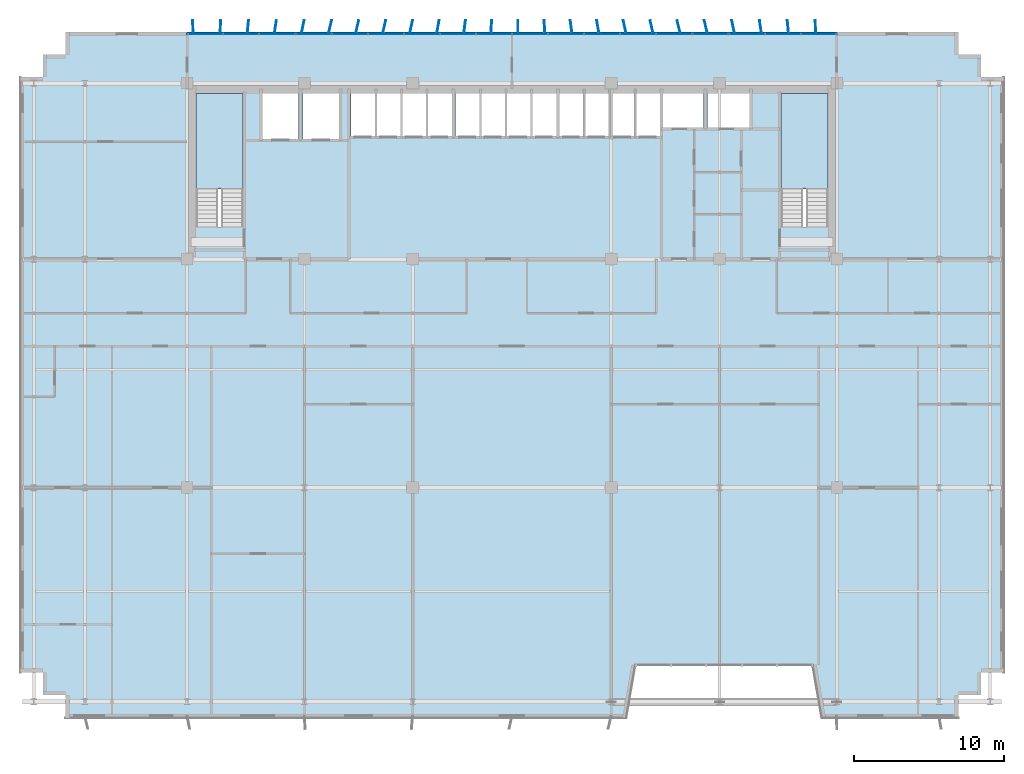
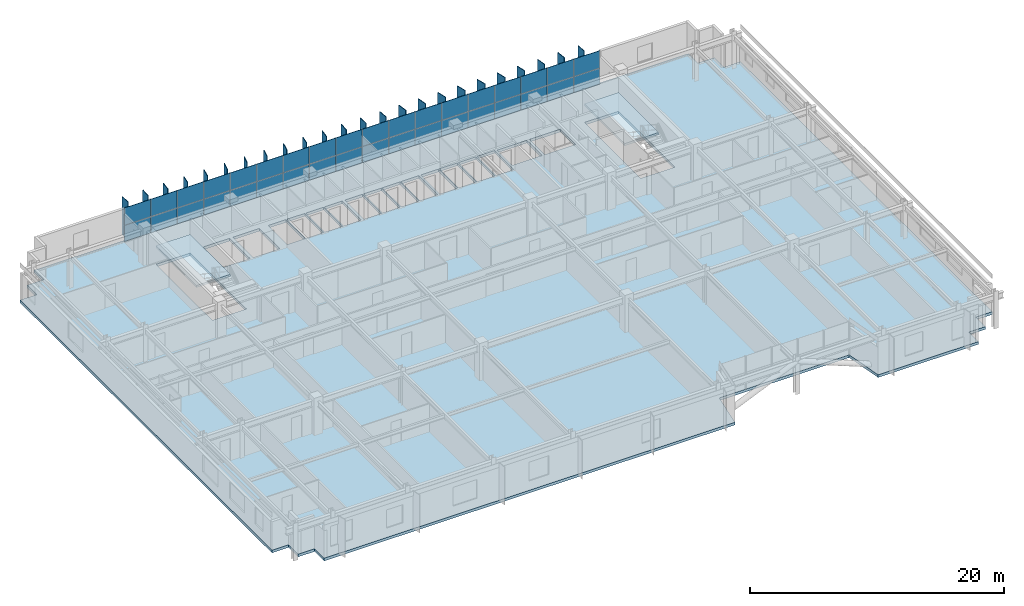
# One storey, part 17 of 26: 60 plates, 3 slabs, 3 elements without a shape of their own.
"""IFC4 building model written with IfcOpenShell, lengths in metres."""

from ifc_helpers import new_model, si_unit, direction, frame, origin, origin_2d, place, context, subcontext, project, spatial, polyline, rectangle, outline, extrude, source, transform, mapped, material, layer, layer_set, type_object, element, aggregate, save


model = new_model("IFC4")

# Units and contexts
model_context = context("Model", 3, precision=1e-05, world=origin(), true_north=direction((0.0, 1.0)))
body_context = subcontext(model_context, "Body", "Model", "MODEL_VIEW")
ifc_project = project(units=[si_unit("LENGTHUNIT", "METRE"), si_unit("AREAUNIT", "SQUARE_METRE"), si_unit("VOLUMEUNIT", "CUBIC_METRE"), si_unit("PLANEANGLEUNIT", "RADIAN"), si_unit("MASSUNIT", "GRAM", prefix="KILO")], contexts=[model_context])

# Site, building, storey
site_placement = place(None, origin())
site = spatial("IfcSite", under=ifc_project, at=site_placement, CompositionType="ELEMENT")
building_placement = place(site_placement, origin())
building = spatial("IfcBuilding", under=site, at=building_placement, Name="Trelvane Seafront Commons", CompositionType="ELEMENT")
storey_placement = place(building_placement, frame((0.0, 0.0, 128.5)))
storey = spatial("IfcBuildingStorey", under=building, at=storey_placement, Name="L33", CompositionType="ELEMENT", Elevation=128.5)

# Stair, slab
ifc_material_1 = material(Name="Concrete C40/50", Category="concrete")
stair_type_1 = type_object("IfcStairType", Name="ARCH-STR-ST-1-R20-180", PredefinedType="HALF_TURN_STAIR", material=ifc_material_1)
stair_1_placement = place(storey_placement, origin())
stair_1 = element("IfcStair", 1, at=stair_1_placement, inside=storey, type_object=stair_type_1, Name="L33 West Protected Firefighting Exit Stair ST-1", PredefinedType="HALF_TURN_STAIR")
ifc_layer_1 = layer(ifc_material_1, 0.199951171875, Name="ARCH-LND-200")
ifc_layer_set_1 = layer_set([ifc_layer_1], Name="Concrete C40/50")
slab_type_1 = type_object("IfcSlabType", Name="ARCH-LND-200", PredefinedType="LANDING", material=ifc_layer_set_1)
slab_1_placement = place(storey_placement, frame((0.0, 0.0, 1.60009765625)))
slab_1 = element("IfcSlab", 2, at=slab_1_placement, type_object=slab_type_1, Name="ST-1 landing 1", PredefinedType="LANDING", context=body_context, shape_type="SweptSolid", body=[
    extrude(outline(polyline([(19.300048828125, 38.070068359375), (19.300048828125, 44.39990234375), (16.199951171875, 44.39990234375), (16.199951171875, 38.070068359375), (19.300048828125, 38.070068359375)])), origin(), (0.0, 0.0, 1.0), 0.199951171875),
])
aggregate(stair_1, [slab_1])

stair_type_2 = type_object("IfcStairType", Name="ARCH-STR-ST-2-R20-180", PredefinedType="HALF_TURN_STAIR", material=ifc_material_1)
stair_2_placement = place(storey_placement, origin())
stair_2 = element("IfcStair", 3, at=stair_2_placement, inside=storey, type_object=stair_type_2, Name="L33 East Protected Firefighting Exit Stair ST-2", PredefinedType="HALF_TURN_STAIR")
slab_2_placement = place(storey_placement, frame((0.0, 0.0, 1.60009765625)))
slab_2 = element("IfcSlab", 4, at=slab_2_placement, type_object=slab_type_1, Name="ST-2 landing 1", PredefinedType="LANDING", context=body_context, shape_type="SweptSolid", body=[
    extrude(outline(polyline([(58.199951171875, 38.070068359375), (58.199951171875, 44.39990234375), (55.10009765625, 44.39990234375), (55.10009765625, 38.070068359375), (58.199951171875, 38.070068359375)])), origin(), (0.0, 0.0, 1.0), 0.199951171875),
])
aggregate(stair_2, [slab_2])

# Slab
ifc_material_2 = material(Name="Concrete C50/60", Category="concrete")
ifc_layer_2 = layer(ifc_material_2, 0.260009765625, Name="STR-SLB-Z1-260")
ifc_layer_set_2 = layer_set([ifc_layer_2], Name="Concrete C50/60")
slab_type_2 = type_object("IfcSlabType", Name="STR-SLB-Z1-260", PredefinedType="FLOOR", material=ifc_layer_set_2)
slab_3_placement = place(storey_placement, frame((0.0, 0.0, -0.260009765625)))
element("IfcSlab", 5, at=slab_3_placement, inside=storey, type_object=slab_type_2, Name="L33 Structural Floor Slab", PredefinedType="FLOOR", context=body_context, shape_type="SweptSolid", body=[
    extrude(outline(polyline([(7.5, 2.89990234375), (44.800048828125, 2.89990234375), (45.39990234375, 6.39990234375), (57.199951171875, 6.39990234375), (57.800048828125, 2.89990234375), (66.89990234375, 2.89990234375), (66.89990234375, 4.39990234375), (68.39990234375, 4.39990234375), (68.39990234375, 5.89990234375), (69.89990234375, 5.89990234375), (69.89990234375, 45.5), (68.39990234375, 45.5), (68.39990234375, 47.0), (66.89990234375, 47.0), (66.89990234375, 48.5), (7.5, 48.5), (7.5, 47.0), (6.0, 47.0), (6.0, 45.5), (4.5, 45.5), (4.5, 5.89990234375), (6.0, 5.89990234375), (6.0, 4.39990234375), (7.5, 4.39990234375), (7.5, 2.89990234375)]), holes=[polyline([(16.199951171875, 35.550048828125), (16.199951171875, 44.39990234375), (19.300048828125, 44.39990234375), (19.300048828125, 35.550048828125), (16.199951171875, 35.550048828125)]), polyline([(20.60009765625, 41.39990234375), (20.60009765625, 44.60009765625), (23.0, 44.60009765625), (23.0, 41.39990234375), (20.60009765625, 41.39990234375)]), polyline([(23.300048828125, 41.39990234375), (23.300048828125, 44.60009765625), (25.699951171875, 44.60009765625), (25.699951171875, 41.39990234375), (23.300048828125, 41.39990234375)]), polyline([(26.5, 41.60009765625), (26.5, 44.60009765625), (28.1201171875, 44.60009765625), (28.1201171875, 41.60009765625), (26.5, 41.60009765625)]), polyline([(28.199951171875, 41.60009765625), (28.199951171875, 44.60009765625), (29.820068359375, 44.60009765625), (29.820068359375, 41.60009765625), (28.199951171875, 41.60009765625)]), polyline([(29.89990234375, 41.60009765625), (29.89990234375, 44.60009765625), (31.52001953125, 44.60009765625), (31.52001953125, 41.60009765625), (29.89990234375, 41.60009765625)]), polyline([(31.60009765625, 41.60009765625), (31.60009765625, 44.60009765625), (33.219970703125, 44.60009765625), (33.219970703125, 41.60009765625), (31.60009765625, 41.60009765625)]), polyline([(33.449951171875, 44.60009765625), (35.070068359375, 44.60009765625), (35.070068359375, 41.60009765625), (33.449951171875, 41.60009765625), (33.449951171875, 44.60009765625)]), polyline([(35.14990234375, 44.60009765625), (36.77001953125, 44.60009765625), (36.77001953125, 41.60009765625), (35.14990234375, 41.60009765625), (35.14990234375, 44.60009765625)]), polyline([(55.10009765625, 35.550048828125), (55.10009765625, 44.39990234375), (58.199951171875, 44.39990234375), (58.199951171875, 35.550048828125), (55.10009765625, 35.550048828125)]), polyline([(36.85009765625, 41.60009765625), (36.85009765625, 44.60009765625), (38.469970703125, 44.60009765625), (38.469970703125, 41.60009765625), (36.85009765625, 41.60009765625)]), polyline([(38.550048828125, 41.60009765625), (38.550048828125, 44.60009765625), (40.169921875, 44.60009765625), (40.169921875, 41.60009765625), (38.550048828125, 41.60009765625)]), polyline([(40.35009765625, 41.60009765625), (40.35009765625, 44.60009765625), (41.969970703125, 44.60009765625), (41.969970703125, 41.60009765625), (40.35009765625, 41.60009765625)]), polyline([(42.050048828125, 41.60009765625), (42.050048828125, 44.60009765625), (43.669921875, 44.60009765625), (43.669921875, 41.60009765625), (42.050048828125, 41.60009765625)]), polyline([(43.75, 41.60009765625), (43.75, 44.60009765625), (45.3701171875, 44.60009765625), (45.3701171875, 41.60009765625), (43.75, 41.60009765625)]), polyline([(45.449951171875, 41.60009765625), (45.449951171875, 44.60009765625), (47.070068359375, 44.60009765625), (47.070068359375, 41.60009765625), (45.449951171875, 41.60009765625)]), polyline([(47.25, 44.550048828125), (49.949951171875, 44.550048828125), (49.949951171875, 42.14990234375), (47.25, 42.14990234375), (47.25, 44.550048828125)]), polyline([(50.199951171875, 44.550048828125), (53.0, 44.550048828125), (53.0, 42.14990234375), (50.199951171875, 42.14990234375), (50.199951171875, 44.550048828125)])]), origin(), (0.0, 0.0, 1.0), 0.260009765625),
])

# Plates
ifc_material_3 = material(Name="Anodised pale-silver aluminium", Category="aluminium")
ifc_layer_3 = layer(ifc_material_3, 0.06005859375, Name="ARCH-PLATE-FIN900")
ifc_layer_set_3 = layer_set([ifc_layer_3], Name="Anodised pale-silver aluminium")
plate_type_1 = type_object("IfcPlateType", Name="ARCH-PLATE-FIN900", PredefinedType="USERDEFINED", material=ifc_layer_set_3)
shared_shape_1 = source(origin(), body_context, "Body", "SweptSolid", [
    extrude(rectangle(XDim=0.89990234375, YDim=0.06005859375, at=origin_2d()), origin(), (0.0, 0.0, 1.0), 3.639892578125),
])
for number, where, z_axis, x_axis, name in (
    (6, (15.986572265625, 48.849853515625, -0.02001953125), (0.0, 0.0, 1.0), (-0.029999453594, 0.999549915104, 0.0), "FIN-L33-00874"),
    (7, (17.81640625, 48.849609375, -0.02001953125), (0.0, 0.0, 1.0), (0.036554756551, 0.999331651542, 0.0), "FIN-L33-00875"),
    (8, (19.64501953125, 48.84765625, -0.02001953125), (0.0, 0.0, 1.0), (0.100219319421, 0.994965370259, 0.0), "FIN-L33-00876"),
    (9, (21.47021484375, 48.844482421875, -0.02001953125), (0.0, 0.0, 1.0), (0.156105202656, 0.987740434377, 0.0), "FIN-L33-00877"),
    (10, (23.2900390625, 48.8408203125, -0.02001953125), (0.0, 0.0, 1.0), (0.200110143554, 0.979773407705, 0.0), "FIN-L33-00878"),
    (11, (25.10302734375, 48.837890625, -0.02001953125), (0.0, 0.0, 1.0), (0.229230970421, 0.973372057437, 0.0), "FIN-L33-00879"),
    (12, (26.90869140625, 48.836669921875, -0.02001953125), (0.0, 0.0, 1.0), (0.24156794104, 0.970383908493, 0.0), "FIN-L33-00880"),
    (13, (28.706298828125, 48.837158203125, -0.02001953125), (0.0, 0.0, 1.0), (0.236334499359, 0.971671757546, 0.0), "FIN-L33-00881"),
    (14, (30.49609375, 48.839599609375, -0.02001953125), (0.0, 0.0, 1.0), (0.213777230561, 0.976882436987, 0.0), "FIN-L33-00882"),
    (15, (32.279052734375, 48.843017578125, -0.02001953125), (0.0, 0.0, 1.0), (0.175452639534, 0.984487872592, 0.0), "FIN-L33-00883"),
    (16, (34.0556640625, 48.8466796875, -0.02001953125), (0.0, 0.0, 1.0), (0.123774669453, 0.992310350244, 0.0), "FIN-L33-00884"),
    (17, (35.828125, 48.84912109375, -0.02001953125), (0.0, 0.0, 1.0), (0.062780068214, 0.998027385914, 0.0), "FIN-L33-00885"),
    (18, (37.5986328125, 48.85009765625, -0.02001953125), (0.0, 0.0, 1.0), (-0.003221872225, 0.999994809756, 0.0), "FIN-L33-00886"),
    (19, (39.368896484375, 48.84912109375, -0.02001953125), (0.0, 0.0, 1.0), (-0.068997343736, 0.997616843561, 0.0), "FIN-L33-00887"),
    (20, (41.141845703125, 48.84619140625, -0.02001953125), (0.0, 0.0, 1.0), (-0.129339046113, 0.99160042918, 0.0), "FIN-L33-00888"),
    (21, (42.919189453125, 48.842529296875, -0.02001953125), (0.0, 0.0, 1.0), (-0.17978436616, 0.983706044347, 0.0), "FIN-L33-00889"),
    (22, (44.702392578125, 48.83935546875, -0.02001953125), (0.0, 0.0, 1.0), (-0.216671346124, 0.976244604476, 0.0), "FIN-L33-00890"),
    (23, (46.4931640625, 48.837158203125, -0.02001953125), (0.0, 0.0, 1.0), (-0.237565523369, 0.971371516005, 0.0), "FIN-L33-00891"),
    (24, (48.29150390625, 48.836669921875, -0.02001953125), (0.0, 0.0, 1.0), (-0.241124182271, 0.97049427032, 0.0), "FIN-L33-00892"),
    (25, (50.097900390625, 48.83837890625, -0.02001953125), (0.0, 0.0, 1.0), (-0.22710685817, 0.973869844986, 0.0), "FIN-L33-00893"),
    (26, (51.91162109375, 48.84130859375, -0.02001953125), (0.0, 0.0, 1.0), (-0.196437318833, 0.980516384243, 0.0), "FIN-L33-00894"),
    (27, (53.73193359375, 48.844970703125, -0.02001953125), (0.0, 0.0, 1.0), (-0.151105546125, 0.988517634608, 0.0), "FIN-L33-00895"),
    (28, (55.5576171875, 48.847900390625, -0.02001953125), (0.0, 0.0, 1.0), (-0.094221255635, 0.995551281947, 0.0), "FIN-L33-00896"),
    (29, (57.386474609375, 48.849853515625, -0.02001953125), (0.0, 0.0, 1.0), (-0.029999453594, 0.999549915104, 0.0), "FIN-L33-00897"),
):
    element("IfcPlate", number, at=place(storey_placement, frame(where, z_axis=z_axis, x_axis=x_axis)), inside=storey, type_object=plate_type_1, Name=name, ObjectType="FIN", PredefinedType="USERDEFINED", context=body_context, shape_type="MappedRepresentation", body=[
        mapped(shared_shape_1, transform((0.0, 0.0, 0.0), x_axis=(1.0, 0.0, 0.0), y_axis=(0.0, 1.0, 0.0), z_axis=(0.0, 0.0, 1.0), scale=1.0)),
    ])

# Curtain wall, plates
curtain_wall_type = type_object("IfcCurtainWallType", Name="ARCH-CW4-SKYLOBBY", PredefinedType="NOTDEFINED", material=ifc_material_3)
curtain_wall_placement = place(storey_placement, origin())
curtain_wall = element("IfcCurtainWall", 30, at=curtain_wall_placement, inside=storey, type_object=curtain_wall_type, Name="CW-L33-0059", PredefinedType="NOTDEFINED")
ifc_material_4 = material(Name="Low-E coastal double glazing", Category="glass")
ifc_layer_4 = layer(ifc_material_4, 0.033935546875, Name="ARCH-CW-GLAZ-34")
ifc_layer_set_4 = layer_set([ifc_layer_4], Name="Low-E coastal double glazing")
plate_type_2 = type_object("IfcPlateType", Name="ARCH-CW-GLAZ-34", PredefinedType="CURTAIN_PANEL", material=ifc_layer_set_4)
shared_shape_2 = source(origin(), body_context, "Body", "SweptSolid", [
    extrude(rectangle(XDim=2.3759765625, YDim=0.0400390625, at=origin_2d()), origin(), (0.0, 0.0, 1.0), 1.528076171875),
])
plate_1_placement = place(storey_placement, frame((16.800048828125, 48.3701171875, 0.0), z_axis=(0.0, 0.0, 1.0), x_axis=(1.0, 0.0, 0.0)))
plate_1 = element("IfcPlate", 31, at=plate_1_placement, type_object=plate_type_2, Name="CW-L33-0059-P00-1", PredefinedType="CURTAIN_PANEL", context=body_context, shape_type="MappedRepresentation", body=[
    mapped(shared_shape_2, transform((0.0, 0.0, 0.0), x_axis=(1.0, 0.0, 0.0), y_axis=(0.0, 1.0, 0.0), z_axis=(0.0, 0.0, 1.0), scale=1.0)),
])
plate_2_placement = place(storey_placement, frame((19.199951171875, 48.3701171875, 0.0), z_axis=(0.0, 0.0, 1.0), x_axis=(1.0, 0.0, 0.0)))
plate_2 = element("IfcPlate", 32, at=plate_2_placement, type_object=plate_type_2, Name="CW-L33-0059-P01-1", PredefinedType="CURTAIN_PANEL", context=body_context, shape_type="MappedRepresentation", body=[
    mapped(shared_shape_2, transform((0.0, 0.0, 0.0), x_axis=(1.0, 0.0, 0.0), y_axis=(0.0, 1.0, 0.0), z_axis=(0.0, 0.0, 1.0), scale=1.0)),
])
plate_3_placement = place(storey_placement, frame((21.60009765625, 48.3701171875, 0.0), z_axis=(0.0, 0.0, 1.0), x_axis=(1.0, 0.0, 0.0)))
plate_3 = element("IfcPlate", 33, at=plate_3_placement, type_object=plate_type_2, Name="CW-L33-0059-P02-1", PredefinedType="CURTAIN_PANEL", context=body_context, shape_type="MappedRepresentation", body=[
    mapped(shared_shape_2, transform((0.0, 0.0, 0.0), x_axis=(1.0, 0.0, 0.0), y_axis=(0.0, 1.0, 0.0), z_axis=(0.0, 0.0, 1.0), scale=1.0)),
])
plate_4_placement = place(storey_placement, frame((24.0, 48.3701171875, 0.0), z_axis=(0.0, 0.0, 1.0), x_axis=(1.0, 0.0, 0.0)))
plate_4 = element("IfcPlate", 34, at=plate_4_placement, type_object=plate_type_2, Name="CW-L33-0059-P03-1", PredefinedType="CURTAIN_PANEL", context=body_context, shape_type="MappedRepresentation", body=[
    mapped(shared_shape_2, transform((0.0, 0.0, 0.0), x_axis=(1.0, 0.0, 0.0), y_axis=(0.0, 1.0, 0.0), z_axis=(0.0, 0.0, 1.0), scale=1.0)),
])
plate_5_placement = place(storey_placement, frame((26.39990234375, 48.3701171875, 0.0), z_axis=(0.0, 0.0, 1.0), x_axis=(1.0, 0.0, 0.0)))
plate_5 = element("IfcPlate", 35, at=plate_5_placement, type_object=plate_type_2, Name="CW-L33-0059-P04-1", PredefinedType="CURTAIN_PANEL", context=body_context, shape_type="MappedRepresentation", body=[
    mapped(shared_shape_2, transform((0.0, 0.0, 0.0), x_axis=(1.0, 0.0, 0.0), y_axis=(0.0, 1.0, 0.0), z_axis=(0.0, 0.0, 1.0), scale=1.0)),
])
plate_6_placement = place(storey_placement, frame((28.800048828125, 48.3701171875, 0.0), z_axis=(0.0, 0.0, 1.0), x_axis=(1.0, 0.0, 0.0)))
plate_6 = element("IfcPlate", 36, at=plate_6_placement, type_object=plate_type_2, Name="CW-L33-0059-P05-1", PredefinedType="CURTAIN_PANEL", context=body_context, shape_type="MappedRepresentation", body=[
    mapped(shared_shape_2, transform((0.0, 0.0, 0.0), x_axis=(1.0, 0.0, 0.0), y_axis=(0.0, 1.0, 0.0), z_axis=(0.0, 0.0, 1.0), scale=1.0)),
])
plate_7_placement = place(storey_placement, frame((31.199951171875, 48.3701171875, 0.0), z_axis=(0.0, 0.0, 1.0), x_axis=(1.0, 0.0, 0.0)))
plate_7 = element("IfcPlate", 37, at=plate_7_placement, type_object=plate_type_2, Name="CW-L33-0059-P06-1", PredefinedType="CURTAIN_PANEL", context=body_context, shape_type="MappedRepresentation", body=[
    mapped(shared_shape_2, transform((0.0, 0.0, 0.0), x_axis=(1.0, 0.0, 0.0), y_axis=(0.0, 1.0, 0.0), z_axis=(0.0, 0.0, 1.0), scale=1.0)),
])
plate_8_placement = place(storey_placement, frame((33.60009765625, 48.3701171875, 0.0), z_axis=(0.0, 0.0, 1.0), x_axis=(1.0, 0.0, 0.0)))
plate_8 = element("IfcPlate", 38, at=plate_8_placement, type_object=plate_type_2, Name="CW-L33-0059-P07-1", PredefinedType="CURTAIN_PANEL", context=body_context, shape_type="MappedRepresentation", body=[
    mapped(shared_shape_2, transform((0.0, 0.0, 0.0), x_axis=(1.0, 0.0, 0.0), y_axis=(0.0, 1.0, 0.0), z_axis=(0.0, 0.0, 1.0), scale=1.0)),
])
plate_9_placement = place(storey_placement, frame((36.0, 48.3701171875, 0.0), z_axis=(0.0, 0.0, 1.0), x_axis=(1.0, 0.0, 0.0)))
plate_9 = element("IfcPlate", 39, at=plate_9_placement, type_object=plate_type_2, Name="CW-L33-0059-P08-1", PredefinedType="CURTAIN_PANEL", context=body_context, shape_type="MappedRepresentation", body=[
    mapped(shared_shape_2, transform((0.0, 0.0, 0.0), x_axis=(1.0, 0.0, 0.0), y_axis=(0.0, 1.0, 0.0), z_axis=(0.0, 0.0, 1.0), scale=1.0)),
])
plate_10_placement = place(storey_placement, frame((38.39990234375, 48.3701171875, 0.0), z_axis=(0.0, 0.0, 1.0), x_axis=(1.0, 0.0, 0.0)))
plate_10 = element("IfcPlate", 40, at=plate_10_placement, type_object=plate_type_2, Name="CW-L33-0059-P09-1", PredefinedType="CURTAIN_PANEL", context=body_context, shape_type="MappedRepresentation", body=[
    mapped(shared_shape_2, transform((0.0, 0.0, 0.0), x_axis=(1.0, 0.0, 0.0), y_axis=(0.0, 1.0, 0.0), z_axis=(0.0, 0.0, 1.0), scale=1.0)),
])
plate_11_placement = place(storey_placement, frame((40.800048828125, 48.3701171875, 0.0), z_axis=(0.0, 0.0, 1.0), x_axis=(1.0, 0.0, 0.0)))
plate_11 = element("IfcPlate", 41, at=plate_11_placement, type_object=plate_type_2, Name="CW-L33-0059-P10-1", PredefinedType="CURTAIN_PANEL", context=body_context, shape_type="MappedRepresentation", body=[
    mapped(shared_shape_2, transform((0.0, 0.0, 0.0), x_axis=(1.0, 0.0, 0.0), y_axis=(0.0, 1.0, 0.0), z_axis=(0.0, 0.0, 1.0), scale=1.0)),
])
plate_12_placement = place(storey_placement, frame((43.199951171875, 48.3701171875, 0.0), z_axis=(0.0, 0.0, 1.0), x_axis=(1.0, 0.0, 0.0)))
plate_12 = element("IfcPlate", 42, at=plate_12_placement, type_object=plate_type_2, Name="CW-L33-0059-P11-1", PredefinedType="CURTAIN_PANEL", context=body_context, shape_type="MappedRepresentation", body=[
    mapped(shared_shape_2, transform((0.0, 0.0, 0.0), x_axis=(1.0, 0.0, 0.0), y_axis=(0.0, 1.0, 0.0), z_axis=(0.0, 0.0, 1.0), scale=1.0)),
])
plate_13_placement = place(storey_placement, frame((45.60009765625, 48.3701171875, 0.0), z_axis=(0.0, 0.0, 1.0), x_axis=(1.0, 0.0, 0.0)))
plate_13 = element("IfcPlate", 43, at=plate_13_placement, type_object=plate_type_2, Name="CW-L33-0059-P12-1", PredefinedType="CURTAIN_PANEL", context=body_context, shape_type="MappedRepresentation", body=[
    mapped(shared_shape_2, transform((0.0, 0.0, 0.0), x_axis=(1.0, 0.0, 0.0), y_axis=(0.0, 1.0, 0.0), z_axis=(0.0, 0.0, 1.0), scale=1.0)),
])
plate_14_placement = place(storey_placement, frame((48.0, 48.3701171875, 0.0), z_axis=(0.0, 0.0, 1.0), x_axis=(1.0, 0.0, 0.0)))
plate_14 = element("IfcPlate", 44, at=plate_14_placement, type_object=plate_type_2, Name="CW-L33-0059-P13-1", PredefinedType="CURTAIN_PANEL", context=body_context, shape_type="MappedRepresentation", body=[
    mapped(shared_shape_2, transform((0.0, 0.0, 0.0), x_axis=(1.0, 0.0, 0.0), y_axis=(0.0, 1.0, 0.0), z_axis=(0.0, 0.0, 1.0), scale=1.0)),
])
plate_15_placement = place(storey_placement, frame((50.39990234375, 48.3701171875, 0.0), z_axis=(0.0, 0.0, 1.0), x_axis=(1.0, 0.0, 0.0)))
plate_15 = element("IfcPlate", 45, at=plate_15_placement, type_object=plate_type_2, Name="CW-L33-0059-P14-1", PredefinedType="CURTAIN_PANEL", context=body_context, shape_type="MappedRepresentation", body=[
    mapped(shared_shape_2, transform((0.0, 0.0, 0.0), x_axis=(1.0, 0.0, 0.0), y_axis=(0.0, 1.0, 0.0), z_axis=(0.0, 0.0, 1.0), scale=1.0)),
])
plate_16_placement = place(storey_placement, frame((52.800048828125, 48.3701171875, 0.0), z_axis=(0.0, 0.0, 1.0), x_axis=(1.0, 0.0, 0.0)))
plate_16 = element("IfcPlate", 46, at=plate_16_placement, type_object=plate_type_2, Name="CW-L33-0059-P15-1", PredefinedType="CURTAIN_PANEL", context=body_context, shape_type="MappedRepresentation", body=[
    mapped(shared_shape_2, transform((0.0, 0.0, 0.0), x_axis=(1.0, 0.0, 0.0), y_axis=(0.0, 1.0, 0.0), z_axis=(0.0, 0.0, 1.0), scale=1.0)),
])
plate_17_placement = place(storey_placement, frame((55.199951171875, 48.3701171875, 0.0), z_axis=(0.0, 0.0, 1.0), x_axis=(1.0, 0.0, 0.0)))
plate_17 = element("IfcPlate", 47, at=plate_17_placement, type_object=plate_type_2, Name="CW-L33-0059-P16-1", PredefinedType="CURTAIN_PANEL", context=body_context, shape_type="MappedRepresentation", body=[
    mapped(shared_shape_2, transform((0.0, 0.0, 0.0), x_axis=(1.0, 0.0, 0.0), y_axis=(0.0, 1.0, 0.0), z_axis=(0.0, 0.0, 1.0), scale=1.0)),
])
plate_18_placement = place(storey_placement, frame((57.60009765625, 48.3701171875, 0.0), z_axis=(0.0, 0.0, 1.0), x_axis=(1.0, 0.0, 0.0)))
plate_18 = element("IfcPlate", 48, at=plate_18_placement, type_object=plate_type_2, Name="CW-L33-0059-P17-1", PredefinedType="CURTAIN_PANEL", context=body_context, shape_type="MappedRepresentation", body=[
    mapped(shared_shape_2, transform((0.0, 0.0, 0.0), x_axis=(1.0, 0.0, 0.0), y_axis=(0.0, 1.0, 0.0), z_axis=(0.0, 0.0, 1.0), scale=1.0)),
])
shared_shape_3 = source(origin(), body_context, "Body", "SweptSolid", [
    extrude(rectangle(XDim=2.3759765625, YDim=0.0400390625, at=origin_2d()), origin(), (0.0, 0.0, 1.0), 1.656005859375),
])
plate_19_placement = place(storey_placement, frame((16.800048828125, 48.3701171875, 1.56396484375), z_axis=(0.0, 0.0, 1.0), x_axis=(1.0, 0.0, 0.0)))
plate_19 = element("IfcPlate", 49, at=plate_19_placement, type_object=plate_type_2, Name="CW-L33-0059-P00-2", PredefinedType="CURTAIN_PANEL", context=body_context, shape_type="MappedRepresentation", body=[
    mapped(shared_shape_3, transform((0.0, 0.0, 0.0), x_axis=(1.0, 0.0, 0.0), y_axis=(0.0, 1.0, 0.0), z_axis=(0.0, 0.0, 1.0), scale=1.0)),
])
plate_20_placement = place(storey_placement, frame((19.199951171875, 48.3701171875, 1.56396484375), z_axis=(0.0, 0.0, 1.0), x_axis=(1.0, 0.0, 0.0)))
plate_20 = element("IfcPlate", 50, at=plate_20_placement, type_object=plate_type_2, Name="CW-L33-0059-P01-2", PredefinedType="CURTAIN_PANEL", context=body_context, shape_type="MappedRepresentation", body=[
    mapped(shared_shape_3, transform((0.0, 0.0, 0.0), x_axis=(1.0, 0.0, 0.0), y_axis=(0.0, 1.0, 0.0), z_axis=(0.0, 0.0, 1.0), scale=1.0)),
])
plate_21_placement = place(storey_placement, frame((21.60009765625, 48.3701171875, 1.56396484375), z_axis=(0.0, 0.0, 1.0), x_axis=(1.0, 0.0, 0.0)))
plate_21 = element("IfcPlate", 51, at=plate_21_placement, type_object=plate_type_2, Name="CW-L33-0059-P02-2", PredefinedType="CURTAIN_PANEL", context=body_context, shape_type="MappedRepresentation", body=[
    mapped(shared_shape_3, transform((0.0, 0.0, 0.0), x_axis=(1.0, 0.0, 0.0), y_axis=(0.0, 1.0, 0.0), z_axis=(0.0, 0.0, 1.0), scale=1.0)),
])
plate_22_placement = place(storey_placement, frame((24.0, 48.3701171875, 1.56396484375), z_axis=(0.0, 0.0, 1.0), x_axis=(1.0, 0.0, 0.0)))
plate_22 = element("IfcPlate", 52, at=plate_22_placement, type_object=plate_type_2, Name="CW-L33-0059-P03-2", PredefinedType="CURTAIN_PANEL", context=body_context, shape_type="MappedRepresentation", body=[
    mapped(shared_shape_3, transform((0.0, 0.0, 0.0), x_axis=(1.0, 0.0, 0.0), y_axis=(0.0, 1.0, 0.0), z_axis=(0.0, 0.0, 1.0), scale=1.0)),
])
plate_23_placement = place(storey_placement, frame((26.39990234375, 48.3701171875, 1.56396484375), z_axis=(0.0, 0.0, 1.0), x_axis=(1.0, 0.0, 0.0)))
plate_23 = element("IfcPlate", 53, at=plate_23_placement, type_object=plate_type_2, Name="CW-L33-0059-P04-2", PredefinedType="CURTAIN_PANEL", context=body_context, shape_type="MappedRepresentation", body=[
    mapped(shared_shape_3, transform((0.0, 0.0, 0.0), x_axis=(1.0, 0.0, 0.0), y_axis=(0.0, 1.0, 0.0), z_axis=(0.0, 0.0, 1.0), scale=1.0)),
])
plate_24_placement = place(storey_placement, frame((28.800048828125, 48.3701171875, 1.56396484375), z_axis=(0.0, 0.0, 1.0), x_axis=(1.0, 0.0, 0.0)))
plate_24 = element("IfcPlate", 54, at=plate_24_placement, type_object=plate_type_2, Name="CW-L33-0059-P05-2", PredefinedType="CURTAIN_PANEL", context=body_context, shape_type="MappedRepresentation", body=[
    mapped(shared_shape_3, transform((0.0, 0.0, 0.0), x_axis=(1.0, 0.0, 0.0), y_axis=(0.0, 1.0, 0.0), z_axis=(0.0, 0.0, 1.0), scale=1.0)),
])
plate_25_placement = place(storey_placement, frame((31.199951171875, 48.3701171875, 1.56396484375), z_axis=(0.0, 0.0, 1.0), x_axis=(1.0, 0.0, 0.0)))
plate_25 = element("IfcPlate", 55, at=plate_25_placement, type_object=plate_type_2, Name="CW-L33-0059-P06-2", PredefinedType="CURTAIN_PANEL", context=body_context, shape_type="MappedRepresentation", body=[
    mapped(shared_shape_3, transform((0.0, 0.0, 0.0), x_axis=(1.0, 0.0, 0.0), y_axis=(0.0, 1.0, 0.0), z_axis=(0.0, 0.0, 1.0), scale=1.0)),
])
plate_26_placement = place(storey_placement, frame((33.60009765625, 48.3701171875, 1.56396484375), z_axis=(0.0, 0.0, 1.0), x_axis=(1.0, 0.0, 0.0)))
plate_26 = element("IfcPlate", 56, at=plate_26_placement, type_object=plate_type_2, Name="CW-L33-0059-P07-2", PredefinedType="CURTAIN_PANEL", context=body_context, shape_type="MappedRepresentation", body=[
    mapped(shared_shape_3, transform((0.0, 0.0, 0.0), x_axis=(1.0, 0.0, 0.0), y_axis=(0.0, 1.0, 0.0), z_axis=(0.0, 0.0, 1.0), scale=1.0)),
])
plate_27_placement = place(storey_placement, frame((36.0, 48.3701171875, 1.56396484375), z_axis=(0.0, 0.0, 1.0), x_axis=(1.0, 0.0, 0.0)))
plate_27 = element("IfcPlate", 57, at=plate_27_placement, type_object=plate_type_2, Name="CW-L33-0059-P08-2", PredefinedType="CURTAIN_PANEL", context=body_context, shape_type="MappedRepresentation", body=[
    mapped(shared_shape_3, transform((0.0, 0.0, 0.0), x_axis=(1.0, 0.0, 0.0), y_axis=(0.0, 1.0, 0.0), z_axis=(0.0, 0.0, 1.0), scale=1.0)),
])
plate_28_placement = place(storey_placement, frame((38.39990234375, 48.3701171875, 1.56396484375), z_axis=(0.0, 0.0, 1.0), x_axis=(1.0, 0.0, 0.0)))
plate_28 = element("IfcPlate", 58, at=plate_28_placement, type_object=plate_type_2, Name="CW-L33-0059-P09-2", PredefinedType="CURTAIN_PANEL", context=body_context, shape_type="MappedRepresentation", body=[
    mapped(shared_shape_3, transform((0.0, 0.0, 0.0), x_axis=(1.0, 0.0, 0.0), y_axis=(0.0, 1.0, 0.0), z_axis=(0.0, 0.0, 1.0), scale=1.0)),
])
plate_29_placement = place(storey_placement, frame((40.800048828125, 48.3701171875, 1.56396484375), z_axis=(0.0, 0.0, 1.0), x_axis=(1.0, 0.0, 0.0)))
plate_29 = element("IfcPlate", 59, at=plate_29_placement, type_object=plate_type_2, Name="CW-L33-0059-P10-2", PredefinedType="CURTAIN_PANEL", context=body_context, shape_type="MappedRepresentation", body=[
    mapped(shared_shape_3, transform((0.0, 0.0, 0.0), x_axis=(1.0, 0.0, 0.0), y_axis=(0.0, 1.0, 0.0), z_axis=(0.0, 0.0, 1.0), scale=1.0)),
])
plate_30_placement = place(storey_placement, frame((43.199951171875, 48.3701171875, 1.56396484375), z_axis=(0.0, 0.0, 1.0), x_axis=(1.0, 0.0, 0.0)))
plate_30 = element("IfcPlate", 60, at=plate_30_placement, type_object=plate_type_2, Name="CW-L33-0059-P11-2", PredefinedType="CURTAIN_PANEL", context=body_context, shape_type="MappedRepresentation", body=[
    mapped(shared_shape_3, transform((0.0, 0.0, 0.0), x_axis=(1.0, 0.0, 0.0), y_axis=(0.0, 1.0, 0.0), z_axis=(0.0, 0.0, 1.0), scale=1.0)),
])
plate_31_placement = place(storey_placement, frame((45.60009765625, 48.3701171875, 1.56396484375), z_axis=(0.0, 0.0, 1.0), x_axis=(1.0, 0.0, 0.0)))
plate_31 = element("IfcPlate", 61, at=plate_31_placement, type_object=plate_type_2, Name="CW-L33-0059-P12-2", PredefinedType="CURTAIN_PANEL", context=body_context, shape_type="MappedRepresentation", body=[
    mapped(shared_shape_3, transform((0.0, 0.0, 0.0), x_axis=(1.0, 0.0, 0.0), y_axis=(0.0, 1.0, 0.0), z_axis=(0.0, 0.0, 1.0), scale=1.0)),
])
plate_32_placement = place(storey_placement, frame((48.0, 48.3701171875, 1.56396484375), z_axis=(0.0, 0.0, 1.0), x_axis=(1.0, 0.0, 0.0)))
plate_32 = element("IfcPlate", 62, at=plate_32_placement, type_object=plate_type_2, Name="CW-L33-0059-P13-2", PredefinedType="CURTAIN_PANEL", context=body_context, shape_type="MappedRepresentation", body=[
    mapped(shared_shape_3, transform((0.0, 0.0, 0.0), x_axis=(1.0, 0.0, 0.0), y_axis=(0.0, 1.0, 0.0), z_axis=(0.0, 0.0, 1.0), scale=1.0)),
])
plate_33_placement = place(storey_placement, frame((50.39990234375, 48.3701171875, 1.56396484375), z_axis=(0.0, 0.0, 1.0), x_axis=(1.0, 0.0, 0.0)))
plate_33 = element("IfcPlate", 63, at=plate_33_placement, type_object=plate_type_2, Name="CW-L33-0059-P14-2", PredefinedType="CURTAIN_PANEL", context=body_context, shape_type="MappedRepresentation", body=[
    mapped(shared_shape_3, transform((0.0, 0.0, 0.0), x_axis=(1.0, 0.0, 0.0), y_axis=(0.0, 1.0, 0.0), z_axis=(0.0, 0.0, 1.0), scale=1.0)),
])
plate_34_placement = place(storey_placement, frame((52.800048828125, 48.3701171875, 1.56396484375), z_axis=(0.0, 0.0, 1.0), x_axis=(1.0, 0.0, 0.0)))
plate_34 = element("IfcPlate", 64, at=plate_34_placement, type_object=plate_type_2, Name="CW-L33-0059-P15-2", PredefinedType="CURTAIN_PANEL", context=body_context, shape_type="MappedRepresentation", body=[
    mapped(shared_shape_3, transform((0.0, 0.0, 0.0), x_axis=(1.0, 0.0, 0.0), y_axis=(0.0, 1.0, 0.0), z_axis=(0.0, 0.0, 1.0), scale=1.0)),
])
plate_35_placement = place(storey_placement, frame((55.199951171875, 48.3701171875, 1.56396484375), z_axis=(0.0, 0.0, 1.0), x_axis=(1.0, 0.0, 0.0)))
plate_35 = element("IfcPlate", 65, at=plate_35_placement, type_object=plate_type_2, Name="CW-L33-0059-P16-2", PredefinedType="CURTAIN_PANEL", context=body_context, shape_type="MappedRepresentation", body=[
    mapped(shared_shape_3, transform((0.0, 0.0, 0.0), x_axis=(1.0, 0.0, 0.0), y_axis=(0.0, 1.0, 0.0), z_axis=(0.0, 0.0, 1.0), scale=1.0)),
])
plate_36_placement = place(storey_placement, frame((57.60009765625, 48.3701171875, 1.56396484375), z_axis=(0.0, 0.0, 1.0), x_axis=(1.0, 0.0, 0.0)))
plate_36 = element("IfcPlate", 66, at=plate_36_placement, type_object=plate_type_2, Name="CW-L33-0059-P17-2", PredefinedType="CURTAIN_PANEL", context=body_context, shape_type="MappedRepresentation", body=[
    mapped(shared_shape_3, transform((0.0, 0.0, 0.0), x_axis=(1.0, 0.0, 0.0), y_axis=(0.0, 1.0, 0.0), z_axis=(0.0, 0.0, 1.0), scale=1.0)),
])
aggregate(curtain_wall, [plate_1, plate_19, plate_2, plate_20, plate_3, plate_21, plate_4, plate_22, plate_5, plate_23, plate_6, plate_24, plate_7, plate_25, plate_8, plate_26, plate_9, plate_27, plate_10, plate_28, plate_11, plate_29, plate_12, plate_30, plate_13, plate_31, plate_14, plate_32, plate_15, plate_33, plate_16, plate_34, plate_17, plate_35, plate_18, plate_36])

save(model, "model.ifc")
